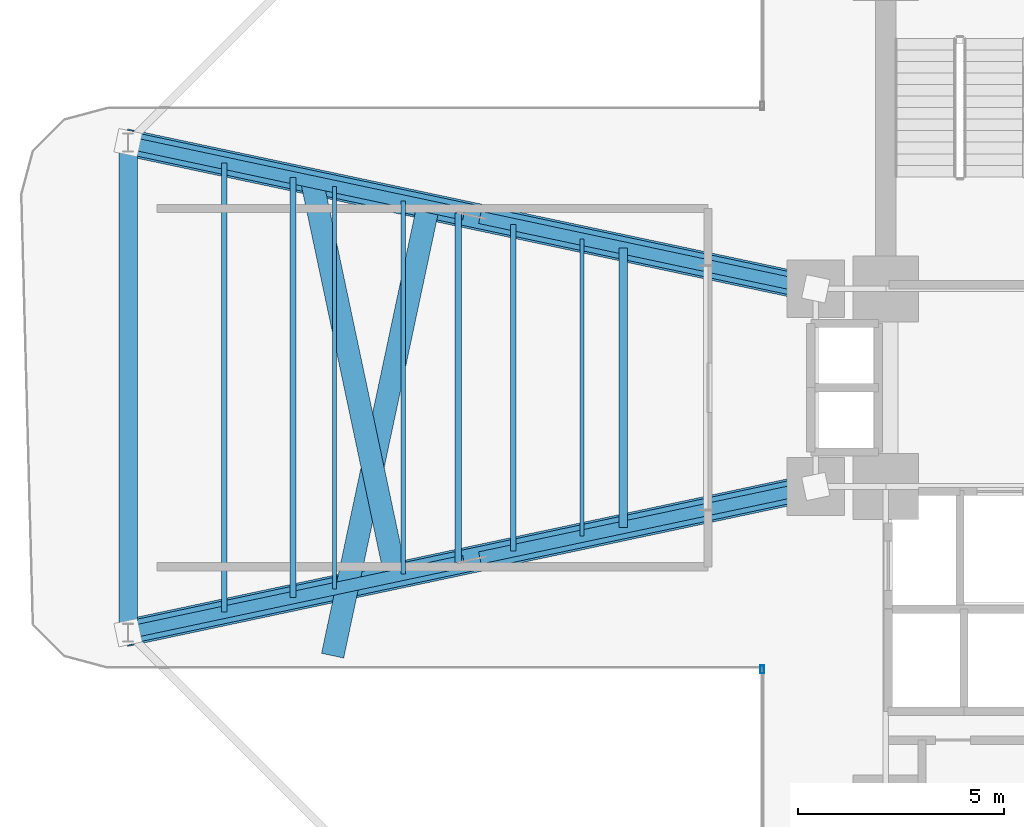
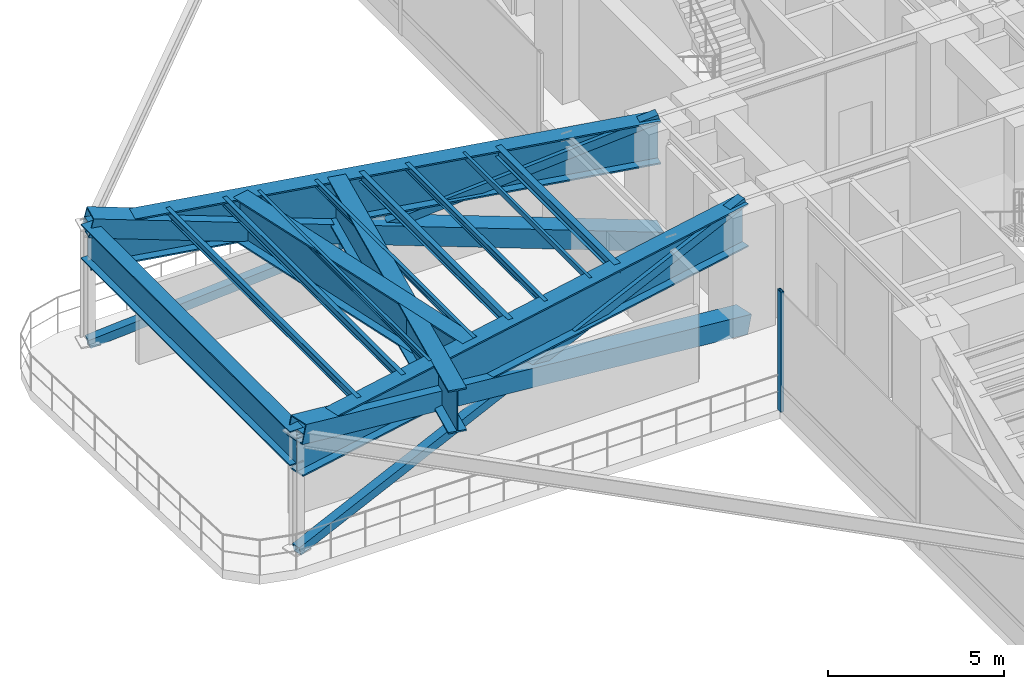
# One storey, part 5 of 18: 13 beams, 7 members, 1 element without a shape of its own.
"""IFC4 building model written with IfcOpenShell, lengths in metres."""

from ifc_helpers import new_model, si_unit, direction, frame, origin, origin_2d, place, context, subcontext, project, spatial, hollow_rectangle, i_section, extrude, source, transform, mapped, material, material_profile, profile_set, type_object, element, aggregate, save


model = new_model("IFC4")

# Units and contexts
model_context = context("Model", 3, precision=1e-05, world=origin(), true_north=direction((0.0, 1.0)))
body_context = subcontext(model_context, "Body", "Model", "MODEL_VIEW")
ifc_project = project(units=[si_unit("LENGTHUNIT", "METRE"), si_unit("AREAUNIT", "SQUARE_METRE"), si_unit("VOLUMEUNIT", "CUBIC_METRE"), si_unit("PLANEANGLEUNIT", "RADIAN"), si_unit("MASSUNIT", "GRAM", prefix="KILO")], contexts=[model_context])

# Site, building, storey
site_placement = place(None, origin())
site = spatial("IfcSite", under=ifc_project, at=site_placement, CompositionType="ELEMENT")
building_placement = place(site_placement, origin())
building = spatial("IfcBuilding", under=site, at=building_placement, Name="Sahyath Konkavel Grand Hotel", CompositionType="ELEMENT")
storey_placement = place(building_placement, frame((0.0, 0.0, 74.5)))
storey = spatial("IfcBuildingStorey", under=building, at=storey_placement, Name="L20", CompositionType="ELEMENT", Elevation=74.5)

# Beams
ifc_material_1 = material(Name="Steel E450", Category="steel")
ifc_material_profile_1 = material_profile(ifc_material_1, i_section(OverallWidth=0.550048828125, OverallDepth=1.5, WebThickness=0.028076171875, FlangeThickness=0.050048828125, at=origin_2d()), Name="BPG 1500x550")
ifc_profile_set_1 = profile_set([ifc_material_profile_1], Name="Steel E450")
beam_type_1 = type_object("IfcBeamType", Name="BM-BPG1500", PredefinedType="BEAM", material=ifc_profile_set_1)
shared_shape_1 = source(origin(), body_context, "Body", "SweptSolid", [
    extrude(i_section(OverallWidth=0.550048828125, OverallDepth=1.5, WebThickness=0.028076171875, FlangeThickness=0.050048828125, at=origin_2d()), origin(), (0.0, 0.0, 1.0), 17.072998046875),
])
for number, where, z_axis, x_axis, name in (
    (1, (-5.5, 2.39990234375, 3.429931640625), (-0.978143257225, 0.20793212437, 0.0), (-0.20793212437, -0.978143257225, 0.0), "L20 Setback Transfer Girder WA"),
    (2, (-5.5, -2.39990234375, 3.429931640625), (-0.978143257225, -0.20793212437, 0.0), (0.20793212437, -0.978143257225, 0.0), "L20 Setback Transfer Girder WB"),
):
    element("IfcBeam", number, at=place(storey_placement, frame(where, z_axis=z_axis, x_axis=x_axis)), inside=storey, type_object=beam_type_1, Name=name, PredefinedType="BEAM", context=body_context, shape_type="MappedRepresentation", body=[
        mapped(shared_shape_1, transform((0.0, 0.0, 0.0), scale=1.0)),
    ])

# Members
ifc_material_profile_2 = material_profile(ifc_material_1, hollow_rectangle(XDim=0.64990234375, YDim=0.64990234375, WallThickness=0.031982421875, at=origin_2d()), Name="BOX 650x650x32")
ifc_profile_set_2 = profile_set([ifc_material_profile_2], Name="Steel E450")
member_type_1 = type_object("IfcMemberType", Name="BR-BOX650", PredefinedType="BRACE", material=ifc_profile_set_2)
shared_shape_2 = source(origin(), body_context, "Body", "SweptSolid", [
    extrude(hollow_rectangle(XDim=0.64990234375, YDim=0.64990234375, WallThickness=0.031982421875, at=origin_2d()), origin(), (0.0, 0.0, 1.0), 17.572509765625),
])
for number, where, z_axis, x_axis, name in (
    (3, (-5.5, 2.39990234375, 0.010009765625), (-0.95034065569, 0.20202189194, 0.236727255125), (-0.20793212437, -0.978143257225, 0.0), "L20 Core Outrigger Truss WA Continuous Diagonal 1"),
    (4, (-5.5, -2.39990234375, 0.010009765625), (-0.95034065569, -0.20202189194, 0.236727255125), (0.20793212437, -0.978143257225, 0.0), "L20 Core Outrigger Truss WB Continuous Diagonal 1"),
):
    element("IfcMember", number, at=place(storey_placement, frame(where, z_axis=z_axis, x_axis=x_axis)), inside=storey, type_object=member_type_1, Name=name, PredefinedType="BRACE", context=body_context, shape_type="MappedRepresentation", body=[
        mapped(shared_shape_2, transform((0.0, 0.0, 0.0), scale=1.0)),
    ])

# Beams
ifc_material_2 = material(Name="Steel E350", Category="steel")
ifc_material_profile_3 = material_profile(ifc_material_2, i_section(OverallWidth=0.199951171875, OverallDepth=0.35009765625, WebThickness=0.008056640625, FlangeThickness=0.011474609375, FilletRadius=0.013916015625, at=origin_2d()), Name="ISWB 350")
ifc_profile_set_3 = profile_set([ifc_material_profile_3], Name="Steel E350")
beam_type_2 = type_object("IfcBeamType", Name="BM-ISWB350", PredefinedType="BEAM", material=ifc_profile_set_3)
shared_shape_3 = source(origin(), body_context, "Body", "SweptSolid", [
    extrude(i_section(OverallWidth=0.199951171875, OverallDepth=0.35009765625, WebThickness=0.008056640625, FlangeThickness=0.011474609375, FilletRadius=0.013916015625, at=origin_2d()), origin(), (0.0, 0.0, 1.0), 6.7880859375),
])
beam_1_placement = place(storey_placement, frame((-10.176025390625, 3.39404296875, 4.0048828125), z_axis=(0.0, -1.0, 0.0), x_axis=(1.0, 0.0, 0.0)))
element("IfcBeam", 5, at=beam_1_placement, inside=storey, type_object=beam_type_2, Name="L20 Secondary Floor Beam W-1", PredefinedType="BEAM", context=body_context, shape_type="MappedRepresentation", body=[
    mapped(shared_shape_3, transform((0.0, 0.0, 0.0), scale=1.0)),
])
ifc_material_profile_4 = material_profile(ifc_material_2, i_section(OverallWidth=0.1650390625, OverallDepth=0.324951171875, WebThickness=0.007080078125, FlangeThickness=0.009765625, FilletRadius=0.014892578125, at=origin_2d()), Name="ISLB 325")
ifc_profile_set_4 = profile_set([ifc_material_profile_4], Name="Steel E350")
beam_type_3 = type_object("IfcBeamType", Name="BM-ISLB325", PredefinedType="BEAM", material=ifc_profile_set_4)
shared_shape_4 = source(origin(), body_context, "Body", "SweptSolid", [
    extrude(i_section(OverallWidth=0.1650390625, OverallDepth=0.324951171875, WebThickness=0.007080078125, FlangeThickness=0.009765625, FilletRadius=0.014892578125, at=origin_2d()), origin(), (0.0, 0.0, 1.0), 8.4921875),
])
beam_2_placement = place(storey_placement, frame((-14.18408203125, 4.24609375, 4.017578125), z_axis=(0.0, -1.0, 0.0), x_axis=(1.0, 0.0, 0.0)))
element("IfcBeam", 6, at=beam_2_placement, inside=storey, type_object=beam_type_3, Name="L20 Secondary Floor Beam W-2", PredefinedType="BEAM", context=body_context, shape_type="MappedRepresentation", body=[
    mapped(shared_shape_4, transform((0.0, 0.0, 0.0), scale=1.0)),
])
ifc_material_profile_5 = material_profile(ifc_material_2, i_section(OverallWidth=0.139892578125, OverallDepth=0.300048828125, WebThickness=0.0078125, FlangeThickness=0.01318359375, FilletRadius=0.013916015625, at=origin_2d()), Name="ISMB 300")
ifc_profile_set_5 = profile_set([ifc_material_profile_5], Name="Steel E350")
beam_type_4 = type_object("IfcBeamType", Name="BM-ISMB300", PredefinedType="BEAM", material=ifc_profile_set_5)
shared_shape_5 = source(origin(), body_context, "Body", "SweptSolid", [
    extrude(i_section(OverallWidth=0.139892578125, OverallDepth=0.300048828125, WebThickness=0.0078125, FlangeThickness=0.01318359375, FilletRadius=0.013916015625, at=origin_2d()), origin(), (0.0, 0.0, 1.0), 10.19580078125),
])
beam_3_placement = place(storey_placement, frame((-18.19189453125, 5.097900390625, 4.030029296875), z_axis=(0.0, -1.0, 0.0), x_axis=(1.0, 0.0, 0.0)))
element("IfcBeam", 7, at=beam_3_placement, inside=storey, type_object=beam_type_4, Name="L20 Secondary Floor Beam W-3", PredefinedType="BEAM", context=body_context, shape_type="MappedRepresentation", body=[
    mapped(shared_shape_5, transform((0.0, 0.0, 0.0), scale=1.0)),
])
shared_shape_6 = source(origin(), body_context, "Body", "SweptSolid", [
    extrude(i_section(OverallWidth=0.550048828125, OverallDepth=1.5, WebThickness=0.028076171875, FlangeThickness=0.050048828125, at=origin_2d()), origin(), (0.0, 0.0, 1.0), 9.781005859375),
])
beam_4_placement = place(storey_placement, frame((-17.730224609375, 4.999755859375, 3.429931640625), z_axis=(0.207148800876, -0.978309447105, 0.0), x_axis=(0.978309447105, 0.207148800876, 0.0)))
element("IfcBeam", 8, at=beam_4_placement, inside=storey, type_object=beam_type_1, Name="L20 Setback Cross Transfer Girder W-1", PredefinedType="BEAM", context=body_context, shape_type="MappedRepresentation", body=[
    mapped(shared_shape_6, transform((0.0, 0.0, 0.0), scale=1.0)),
])
shared_shape_7 = source(origin(), body_context, "Body", "SweptSolid", [
    extrude(i_section(OverallWidth=0.550048828125, OverallDepth=1.5, WebThickness=0.028076171875, FlangeThickness=0.050048828125, at=origin_2d()), origin(), (0.0, 0.0, 1.0), 11.152587890625),
])
beam_5_placement = place(storey_placement, frame((-14.91357421875, 4.401123046875, 3.429931640625), z_axis=(-0.207918710467, -0.978146108635, 0.0), x_axis=(0.978146108635, -0.207918710467, 0.0)))
element("IfcBeam", 9, at=beam_5_placement, inside=storey, type_object=beam_type_1, Name="L20 Setback Cross Transfer Girder W-2", PredefinedType="BEAM", context=body_context, shape_type="MappedRepresentation", body=[
    mapped(shared_shape_7, transform((0.0, 0.0, 0.0), scale=1.0)),
])
ifc_material_profile_6 = material_profile(ifc_material_1, i_section(OverallWidth=0.449951171875, OverallDepth=1.199951171875, WebThickness=0.02197265625, FlangeThickness=0.0400390625, at=origin_2d()), Name="BPG 1200x450")
ifc_profile_set_6 = profile_set([ifc_material_profile_6], Name="Steel E450")
beam_type_5 = type_object("IfcBeamType", Name="BM-BPG1200", PredefinedType="BEAM", material=ifc_profile_set_6)
shared_shape_8 = source(origin(), body_context, "Body", "SweptSolid", [
    extrude(i_section(OverallWidth=0.449951171875, OverallDepth=1.199951171875, WebThickness=0.02197265625, FlangeThickness=0.0400390625, at=origin_2d()), origin(), (0.0, 0.0, 1.0), 11.89990234375),
])
beam_6_placement = place(storey_placement, frame((-22.199951171875, 5.949951171875, 3.580078125), z_axis=(0.0, -1.0, 0.0), x_axis=(1.0, 0.0, 0.0)))
element("IfcBeam", 10, at=beam_6_placement, inside=storey, type_object=beam_type_5, Name="L20 Wing Tip Edge Beam W", PredefinedType="BEAM", context=body_context, shape_type="MappedRepresentation", body=[
    mapped(shared_shape_8, transform((0.0, 0.0, 0.0), scale=1.0)),
])

# Members
ifc_material_profile_7 = material_profile(ifc_material_1, hollow_rectangle(XDim=0.300048828125, YDim=0.300048828125, WallThickness=0.01611328125, at=origin_2d()), Name="SHS 300x300x16")
ifc_profile_set_7 = profile_set([ifc_material_profile_7], Name="Steel E450")
member_type_2 = type_object("IfcMemberType", Name="BR-SHS300", PredefinedType="BRACE", material=ifc_profile_set_7)
shared_shape_9 = source(origin(), body_context, "Body", "SweptSolid", [
    extrude(hollow_rectangle(XDim=0.300048828125, YDim=0.300048828125, WallThickness=0.01611328125, at=origin_2d()), origin(), (0.0, 0.0, 1.0), 8.546142578125),
])
for number, where, z_axis, x_axis, name in (
    (11, (-22.199951171875, 5.949951171875, 0.010009765625), (0.950337999796, -0.202025741262, 0.236734632047), (0.207936470993, 0.978142333217, 0.0), "L20 Core Outrigger Truss WA Split Lower Diagonal 2A"),
    (12, (-13.621826171875, 4.12646484375, 2.146728515625), (0.950337999796, -0.202025741262, 0.236734632047), (0.207936470993, 0.978142333217, 0.0), "L20 Core Outrigger Truss WA Split Upper Diagonal 2B"),
    (13, (-22.199951171875, -5.949951171875, 0.010009765625), (0.950337999796, 0.202025741262, 0.236734632047), (-0.207936470993, 0.978142333217, 0.0), "L20 Core Outrigger Truss WB Split Lower Diagonal 2A"),
    (14, (-13.621826171875, -4.12646484375, 2.146728515625), (0.950337999796, 0.202025741262, 0.236734632047), (-0.207936470993, 0.978142333217, 0.0), "L20 Core Outrigger Truss WB Split Upper Diagonal 2B"),
):
    element("IfcMember", number, at=place(storey_placement, frame(where, z_axis=z_axis, x_axis=x_axis)), inside=storey, type_object=member_type_2, Name=name, PredefinedType="BRACE", context=body_context, shape_type="MappedRepresentation", body=[
        mapped(shared_shape_9, transform((0.0, 0.0, 0.0), scale=1.0)),
    ])

# Beams
ifc_material_profile_8 = material_profile(ifc_material_2, hollow_rectangle(XDim=0.090087890625, YDim=0.179931640625, WallThickness=0.008056640625, at=origin_2d()), Name="RHS 180x90x8")
ifc_profile_set_8 = profile_set([ifc_material_profile_8], Name="Steel E350")
beam_type_6 = type_object("IfcBeamType", Name="BM-RHS180", PredefinedType="BEAM", material=ifc_profile_set_8)
shared_shape_10 = source(origin(), body_context, "Body", "SweptSolid", [
    extrude(hollow_rectangle(XDim=0.090087890625, YDim=0.179931640625, WallThickness=0.008056640625, at=origin_2d()), origin(), (0.0, 0.0, 1.0), 7.2138671875),
])
beam_7_placement = place(storey_placement, frame((-11.177978515625, 3.60693359375, 4.090087890625), z_axis=(0.0, -1.0, 0.0), x_axis=(1.0, 0.0, 0.0)))
element("IfcBeam", 15, at=beam_7_placement, inside=storey, type_object=beam_type_6, Name="L20 Composite Deck Sub-Beam W-2", PredefinedType="BEAM", context=body_context, shape_type="MappedRepresentation", body=[
    mapped(shared_shape_10, transform((0.0, 0.0, 0.0), scale=1.0)),
])
ifc_material_profile_9 = material_profile(ifc_material_2, i_section(OverallWidth=0.125, OverallDepth=0.25, WebThickness=0.0068359375, FlangeThickness=0.012451171875, FilletRadius=0.012939453125, at=origin_2d()), Name="ISMB 250")
ifc_profile_set_9 = profile_set([ifc_material_profile_9], Name="Steel E350")
beam_type_7 = type_object("IfcBeamType", Name="BM-ISMB250", PredefinedType="BEAM", material=ifc_profile_set_9)
shared_shape_11 = source(origin(), body_context, "Body", "SweptSolid", [
    extrude(i_section(OverallWidth=0.125, OverallDepth=0.25, WebThickness=0.0068359375, FlangeThickness=0.012451171875, FilletRadius=0.012939453125, at=origin_2d()), origin(), (0.0, 0.0, 1.0), 7.923828125),
])
beam_8_placement = place(storey_placement, frame((-12.847900390625, 3.9619140625, 4.054931640625), z_axis=(0.0, -1.0, 0.0), x_axis=(1.0, 0.0, 0.0)))
element("IfcBeam", 16, at=beam_8_placement, inside=storey, type_object=beam_type_7, Name="L20 Composite Deck Sub-Beam W-3", PredefinedType="BEAM", context=body_context, shape_type="MappedRepresentation", body=[
    mapped(shared_shape_11, transform((0.0, 0.0, 0.0), scale=1.0)),
])
ifc_material_profile_10 = material_profile(ifc_material_2, i_section(OverallWidth=0.110107421875, OverallDepth=0.22509765625, WebThickness=0.006591796875, FlangeThickness=0.01171875, FilletRadius=0.011962890625, at=origin_2d()), Name="ISMB 225")
ifc_profile_set_10 = profile_set([ifc_material_profile_10], Name="Steel E350")
beam_type_8 = type_object("IfcBeamType", Name="BM-ISMB225", PredefinedType="BEAM", material=ifc_profile_set_10)
shared_shape_12 = source(origin(), body_context, "Body", "SweptSolid", [
    extrude(i_section(OverallWidth=0.110107421875, OverallDepth=0.22509765625, WebThickness=0.006591796875, FlangeThickness=0.01171875, FilletRadius=0.011962890625, at=origin_2d()), origin(), (0.0, 0.0, 1.0), 9.06005859375),
])
beam_9_placement = place(storey_placement, frame((-15.52001953125, 4.530029296875, 4.0673828125), z_axis=(0.0, -1.0, 0.0), x_axis=(1.0, 0.0, 0.0)))
element("IfcBeam", 17, at=beam_9_placement, inside=storey, type_object=beam_type_8, Name="L20 Composite Deck Sub-Beam W-4", PredefinedType="BEAM", context=body_context, shape_type="MappedRepresentation", body=[
    mapped(shared_shape_12, transform((0.0, 0.0, 0.0), scale=1.0)),
])
ifc_material_profile_11 = material_profile(ifc_material_2, i_section(OverallWidth=0.10009765625, OverallDepth=0.199951171875, WebThickness=0.005615234375, FlangeThickness=0.0107421875, FilletRadius=0.010986328125, at=origin_2d()), Name="ISMB 200")
ifc_profile_set_11 = profile_set([ifc_material_profile_11], Name="Steel E350")
beam_type_9 = type_object("IfcBeamType", Name="BM-ISMB200", PredefinedType="BEAM", material=ifc_profile_set_11)
shared_shape_13 = source(origin(), body_context, "Body", "SweptSolid", [
    extrude(i_section(OverallWidth=0.10009765625, OverallDepth=0.199951171875, WebThickness=0.005615234375, FlangeThickness=0.0107421875, FilletRadius=0.010986328125, at=origin_2d()), origin(), (0.0, 0.0, 1.0), 9.77001953125),
])
beam_10_placement = place(storey_placement, frame((-17.18994140625, 4.885009765625, 4.080078125), z_axis=(0.0, -1.0, 0.0), x_axis=(1.0, 0.0, 0.0)))
element("IfcBeam", 18, at=beam_10_placement, inside=storey, type_object=beam_type_9, Name="L20 Composite Deck Sub-Beam W-5", PredefinedType="BEAM", context=body_context, shape_type="MappedRepresentation", body=[
    mapped(shared_shape_13, transform((0.0, 0.0, 0.0), scale=1.0)),
])
ifc_material_profile_12 = material_profile(ifc_material_2, i_section(OverallWidth=0.139892578125, OverallDepth=0.27490234375, WebThickness=0.00634765625, FlangeThickness=0.0087890625, FilletRadius=0.012939453125, at=origin_2d()), Name="ISLB 275")
ifc_profile_set_12 = profile_set([ifc_material_profile_12], Name="Steel E350")
beam_type_10 = type_object("IfcBeamType", Name="BM-ISLB275", PredefinedType="BEAM", material=ifc_profile_set_12)
shared_shape_14 = source(origin(), body_context, "Body", "SweptSolid", [
    extrude(i_section(OverallWidth=0.139892578125, OverallDepth=0.27490234375, WebThickness=0.00634765625, FlangeThickness=0.0087890625, FilletRadius=0.012939453125, at=origin_2d()), origin(), (0.0, 0.0, 1.0), 10.90576171875),
])
beam_11_placement = place(storey_placement, frame((-19.862060546875, 5.452880859375, 4.04248046875), z_axis=(0.0, -1.0, 0.0), x_axis=(1.0, 0.0, 0.0)))
element("IfcBeam", 19, at=beam_11_placement, inside=storey, type_object=beam_type_10, Name="L20 Composite Deck Sub-Beam W-6", PredefinedType="BEAM", context=body_context, shape_type="MappedRepresentation", body=[
    mapped(shared_shape_14, transform((0.0, 0.0, 0.0), scale=1.0)),
])

# Curtain wall, member
ifc_material_3 = material(Name="Anodised Bronze Aluminium & Low-E Glazing", Category="aluminium")
curtain_wall_type = type_object("IfcCurtainWallType", Name="CW-SKYLOBBY", PredefinedType="NOTDEFINED", material=ifc_material_3)
curtain_wall_placement = place(storey_placement, origin())
curtain_wall = element("IfcCurtainWall", 20, at=curtain_wall_placement, inside=storey, type_object=curtain_wall_type, Name="L20 Unitised Curtain Wall RF24", PredefinedType="NOTDEFINED")
ifc_material_4 = material(Name="Anodised Bronze Aluminium", Category="aluminium")
ifc_material_profile_13 = material_profile(ifc_material_4, hollow_rectangle(XDim=0.10009765625, YDim=0.199951171875, WallThickness=0.008056640625, at=origin_2d()), Name="RHS 200x100x8")
ifc_profile_set_13 = profile_set([ifc_material_profile_13], Name="Anodised Bronze Aluminium")
member_type_3 = type_object("IfcMemberType", Name="CW-MUL-200", PredefinedType="MULLION", material=ifc_profile_set_13)
shared_shape_15 = source(origin(), body_context, "Body", "SweptSolid", [
    extrude(hollow_rectangle(XDim=0.10009765625, YDim=0.199951171875, WallThickness=0.008056640625, at=origin_2d()), origin(), (0.0, 0.0, 1.0), 4.179931640625),
])
member_placement = place(storey_placement, frame((-6.800048828125, -6.840087890625, 0.0), z_axis=(0.0, 0.0, 1.0), x_axis=(1.0, 0.0, 0.0)))
member = element("IfcMember", 21, at=member_placement, type_object=member_type_3, Name="L20 Curtain Wall Mullion RF24-0", PredefinedType="MULLION", context=body_context, shape_type="MappedRepresentation", body=[
    mapped(shared_shape_15, transform((0.0, 0.0, 0.0), scale=1.0)),
])
aggregate(curtain_wall, [member])

save(model, "model.ifc")
